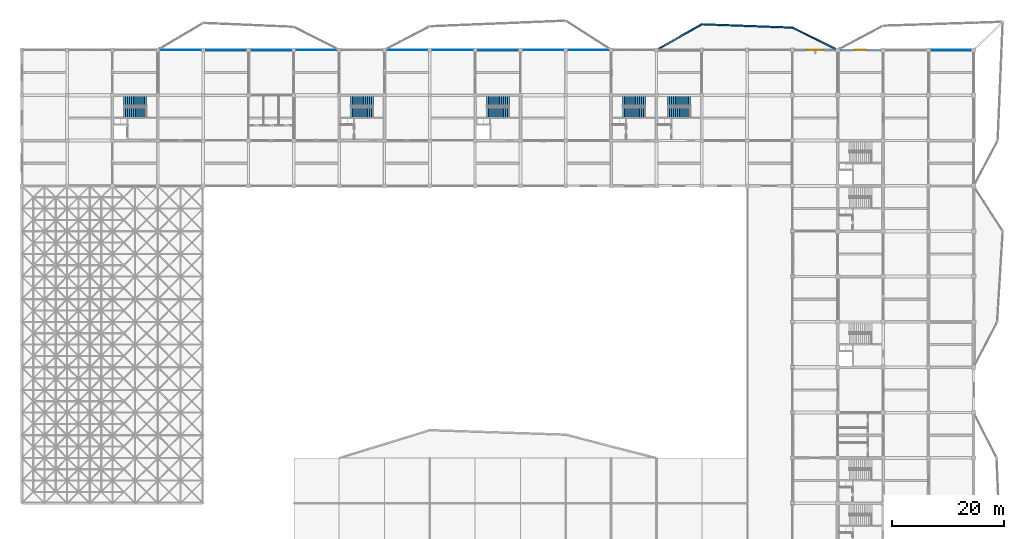
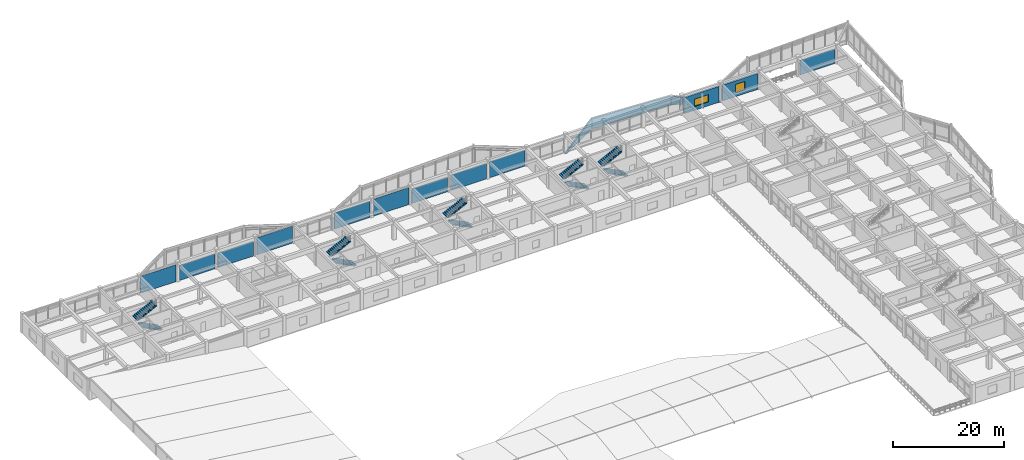
# One storey, part 55 of 70: 15 walls, 10 stair flights, 2 windows, 2 openings, 5 elements without a shape of their own.
"""IFC4 building model written with IfcOpenShell, lengths in metres."""

import ifcopenshell
import ifcopenshell.guid

model = None  # the IFC model being written
_history = None  # IfcOwnerHistory: only IFC2X3 demands one
_inside = {}  # id of a spatial element -> (the spatial element, [elements in it])
_under = {}  # id of a project, library or spatial element -> (it, [spatial elements below it])
_declared = {}  # id of a project -> (the project, [libraries it declares])
_typed = {}  # id of a type object -> (the type object, [elements of that type])
_made_of = {}  # id of a material, layer set ... -> (it, [elements and type objects made of it])


def new_model(schema):
    """Start an empty IFC model of exactly this schema.

    Asked for "IFC4X3", IfcOpenShell would pick the latest addendum, in which some entities
    have other attributes; the version numbers below select the first issue.
    IFC2X3 requires an IfcOwnerHistory on every rooted entity: one is made here for all.
    """
    global model, _history
    if schema == "IFC4X3":
        model = ifcopenshell.file(schema_version=(4, 3, 0, 0))
    else:
        model = ifcopenshell.file(schema=schema)
    _inside.clear()
    _under.clear()
    _declared.clear()
    _typed.clear()
    _made_of.clear()
    _history = None
    if model.schema == "IFC2X3":
        org = make("IfcOrganization", Name="unknown")
        user = make(
            "IfcPersonAndOrganization",
            ThePerson=make("IfcPerson", FamilyName="unknown"),
            TheOrganization=org,
        )
        app = make(
            "IfcApplication",
            ApplicationDeveloper=org,
            Version="unknown",
            ApplicationFullName="unknown",
            ApplicationIdentifier="unknown",
        )
        _history = make(
            "IfcOwnerHistory",
            OwningUser=user,
            OwningApplication=app,
            ChangeAction="ADDED",
            CreationDate=0,
        )
    return model


def make(cls, **values):
    """One entity of the class cls with the attributes given. An attribute that is None is left unset."""
    return model.create_entity(
        cls, **{name: value for name, value in values.items() if value is not None}
    )


def rooted(cls, **values):
    """An entity with a GlobalId (a new one), such as an element, a storey or a relation."""
    return make(cls, GlobalId=ifcopenshell.guid.new(), OwnerHistory=_history, **values)


def si_unit(unit_type, name, prefix=None):
    """IfcSIUnit, for example si_unit("LENGTHUNIT", "METRE", prefix="MILLI")."""
    return make("IfcSIUnit", UnitType=unit_type, Prefix=prefix, Name=name)


def assignment(units):
    """IfcUnitAssignment: the units of a project."""
    return None if units is None else make("IfcUnitAssignment", Units=units)


def point(xyz):
    """IfcCartesianPoint."""
    return None if xyz is None else make("IfcCartesianPoint", Coordinates=xyz)


def direction(xyz):
    """IfcDirection."""
    return None if xyz is None else make("IfcDirection", DirectionRatios=xyz)


def frame(location, z_axis=None, x_axis=None):
    """IfcAxis2Placement3D, a coordinate frame: its origin and axes. An axis left out is left unset."""
    return make(
        "IfcAxis2Placement3D",
        Location=point(location),
        Axis=direction(z_axis),
        RefDirection=direction(x_axis),
    )


def frame_2d(location, x_axis=None):
    """IfcAxis2Placement2D, a coordinate frame in the plane: its origin and x axis."""
    return make(
        "IfcAxis2Placement2D", Location=point(location), RefDirection=direction(x_axis)
    )


def origin():
    """The frame at (0, 0, 0) with its axes left unset."""
    return frame((0.0, 0.0, 0.0))


def place(relative_to, where):
    """IfcLocalPlacement: puts the frame where relative to a parent placement (None: the world)."""
    return make(
        "IfcLocalPlacement", PlacementRelTo=relative_to, RelativePlacement=where
    )


def context(
    kind, dimensions, precision=None, world=None, true_north=None, identifier=None
):
    """IfcGeometricRepresentationContext, for example the 3D "Model" context."""
    return make(
        "IfcGeometricRepresentationContext",
        ContextIdentifier=identifier,
        ContextType=kind,
        CoordinateSpaceDimension=dimensions,
        Precision=precision,
        WorldCoordinateSystem=world,
        TrueNorth=true_north,
    )


def subcontext(parent, identifier, kind, view, scale=None):
    """IfcGeometricRepresentationSubContext, for example "Body" below "Model"."""
    return make(
        "IfcGeometricRepresentationSubContext",
        ContextIdentifier=identifier,
        ContextType=kind,
        ParentContext=parent,
        TargetScale=scale,
        TargetView=view,
    )


def project(units=None, contexts=None):
    """IfcProject with its units and contexts."""
    return rooted(
        "IfcProject",
        Name="project",
        RepresentationContexts=contexts,
        UnitsInContext=assignment(units),
    )


def spatial(cls, under=None, at=None, **own):
    """A site, building, storey or space (cls), placed at a placement, below another one or the project."""
    s = rooted(cls, ObjectPlacement=at, **own)
    if under is not None:
        _under.setdefault(under.id(), (under, []))[1].append(s)
    return s


def polyline(points):
    """IfcPolyline through the points."""
    return make("IfcPolyline", Points=[point(p) for p in points])


def profile(cls, at=None, kind="AREA", **sizes):
    """A parametric profile (cls). Its sizes go by their IFC names, for example OverallWidth=200.0."""
    return make(cls, ProfileType=kind, Position=at, **sizes)


def rectangle(**sizes):
    """IfcRectangleProfileDef."""
    return profile("IfcRectangleProfileDef", **sizes)


def outline(outer, holes=None, kind="AREA"):
    """IfcArbitraryClosedProfileDef: a profile drawn as a closed curve; with holes, ...WithVoids."""
    if holes is None:
        return make("IfcArbitraryClosedProfileDef", ProfileType=kind, OuterCurve=outer)
    return make(
        "IfcArbitraryProfileDefWithVoids",
        ProfileType=kind,
        OuterCurve=outer,
        InnerCurves=holes,
    )


def extrude(swept, where, along, depth):
    """IfcExtrudedAreaSolid: the profile swept, set in the frame where, extruded along a direction by depth."""
    return make(
        "IfcExtrudedAreaSolid",
        SweptArea=swept,
        Position=where,
        ExtrudedDirection=direction(along),
        Depth=depth,
    )


def shape(context_of_items, identifier, shape_type, items):
    """IfcShapeRepresentation: the items that make up one representation, for example the "Body"."""
    return make(
        "IfcShapeRepresentation",
        ContextOfItems=context_of_items,
        RepresentationIdentifier=identifier,
        RepresentationType=shape_type,
        Items=items,
    )


def material(Name=None, Category=None):
    """IfcMaterial."""
    return make("IfcMaterial", Name=Name, Category=Category)


def layer(
    of_material, thickness, ventilated=None, Name=None, Category=None, Priority=None
):
    """IfcMaterialLayer: one layer of a wall or slab, of a material (None: an air gap)."""
    return make(
        "IfcMaterialLayer",
        Material=of_material,
        LayerThickness=thickness,
        IsVentilated=ventilated,
        Name=Name,
        Category=Category,
        Priority=Priority,
    )


def layer_set(layers, Name=None):
    """IfcMaterialLayerSet."""
    return make("IfcMaterialLayerSet", MaterialLayers=layers, LayerSetName=Name)


def made_of(thing, what):
    """Note that an element or type object is made of a material, layer set ...; save() writes the relation."""
    if what is not None:
        _made_of.setdefault(what.id(), (what, []))[1].append(thing)
    return thing


def type_object(cls, material=None, **own):
    """A type object (cls), such as IfcWallType, which elements share."""
    return made_of(rooted(cls, **own), material)


def element(
    cls,
    number,
    at=None,
    inside=None,
    cuts=None,
    type_object=None,
    material=None,
    context=None,
    identifier="Body",
    shape_type=None,
    held_by="IfcProductDefinitionShape",
    body=None,
    shapes=None,
    **own,
):
    """One element of the class cls, such as IfcWall. Its Tag is "e" and its number.

    at: its placement. inside: the storey or other place that contains it. cuts: it is an
    opening in that element (IfcRelVoidsElement). A single representation is given by context,
    identifier, shape_type and body (its items); several are given by shapes. held_by: the class
    of the entity that holds the representations. save() writes the other relations.
    """
    e = rooted(cls, Tag="e%d" % number, ObjectPlacement=at, **own)
    if body is not None:
        shapes = [shape(context, identifier, shape_type, body)]
    if shapes is not None:
        e.Representation = make(held_by, Representations=shapes)
    if inside is not None:
        _inside.setdefault(inside.id(), (inside, []))[1].append(e)
    if cuts is not None:
        rooted(
            "IfcRelVoidsElement", RelatingBuildingElement=cuts, RelatedOpeningElement=e
        )
    if type_object is not None:
        _typed.setdefault(type_object.id(), (type_object, []))[1].append(e)
    return made_of(e, material)


def fill(opening, filler):
    """IfcRelFillsElement: the door or window that sits in an opening."""
    return rooted(
        "IfcRelFillsElement",
        RelatingOpeningElement=opening,
        RelatedBuildingElement=filler,
    )


def aggregate(whole, parts):
    """IfcRelAggregates: a whole, such as a stair, and the parts it consists of."""
    return rooted("IfcRelAggregates", RelatingObject=whole, RelatedObjects=parts)


def save(model, path):
    """Write the relations noted so far, then the file.

    IfcRelAggregates (storeys below a building ...), IfcRelContainedInSpatialStructure (elements
    in a storey), IfcRelDefinesByType, IfcRelAssociatesMaterial and IfcRelDeclares: one each for
    every whole, place, type object, material and project.
    """
    for whole, parts in _under.values():
        aggregate(whole, parts)
    for where, things in _inside.values():
        rooted(
            "IfcRelContainedInSpatialStructure",
            RelatedElements=things,
            RelatingStructure=where,
        )
    for kind, things in _typed.values():
        rooted("IfcRelDefinesByType", RelatedObjects=things, RelatingType=kind)
    for what, things in _made_of.values():
        rooted("IfcRelAssociatesMaterial", RelatedObjects=things, RelatingMaterial=what)
    for by, libraries in _declared.values():
        rooted("IfcRelDeclares", RelatingContext=by, RelatedDefinitions=libraries)
    model.write(path)


model = new_model("IFC4")

# Units and contexts
model_context = context("Model", 3, precision=1e-05, world=origin(), true_north=direction((0.0, 1.0)))
body_context = subcontext(model_context, "Body", "Model", "MODEL_VIEW")
ifc_project = project(units=[si_unit("LENGTHUNIT", "METRE"), si_unit("AREAUNIT", "SQUARE_METRE"), si_unit("VOLUMEUNIT", "CUBIC_METRE"), si_unit("PLANEANGLEUNIT", "RADIAN"), si_unit("MASSUNIT", "GRAM", prefix="KILO")], contexts=[model_context])

# Site, building, storey
site_placement = place(None, origin())
site = spatial("IfcSite", under=ifc_project, at=site_placement, CompositionType="ELEMENT")
building_placement = place(site_placement, origin())
building = spatial("IfcBuilding", under=site, at=building_placement, Name="Vaudrelin Polytechnic", CompositionType="ELEMENT")
storey_placement = place(building_placement, frame((0.0, 0.0, 14.110107421875)))
storey = spatial("IfcBuildingStorey", under=building, at=storey_placement, Name="L03", CompositionType="ELEMENT", Elevation=14.110107421875)

# Walls
ifc_material_1 = material(Name="Precast concrete 35 MPa with standing-seam zinc rainscreen", Category="concrete")
ifc_layer_1 = layer(ifc_material_1, 0.260009765625)
ifc_layer_set_1 = layer_set([ifc_layer_1], Name="Precast concrete 35 MPa with standing-seam zinc rainscreen")
wall_type_1 = type_object("IfcWallType", Name="WAL-EW-CLER260", PredefinedType="STANDARD", material=ifc_layer_set_1)
wall_1_placement = place(storey_placement, frame((113.41748046875, 121.510009765625, -0.35009765625), z_axis=(0.0, 0.0, 1.0), x_axis=(0.86956831127, 0.49381266897, 0.0)))
element("IfcWall", 1, at=wall_1_placement, inside=storey, type_object=wall_type_1, Name="Deconstructivist pod clerestory N_OR3-1", PredefinedType="STANDARD", context=body_context, shape_type="SweptSolid", body=[
    extrude(outline(polyline([(0.0, 0.0), (9.27490234375, 0.0), (9.27490234375, 2.2099609375), (0.0, 0.360107421875), (0.0, 0.0)])), frame((0.0, 0.1298828125, 0.0), z_axis=(0.0, -1.0, 0.0), x_axis=(1.0, 0.0, 0.0)), (0.0, 0.0, 1.0), 0.260009765625),
])
wall_2_placement = place(storey_placement, frame((121.52001953125, 126.099365234375, -0.35009765625), z_axis=(0.0, 0.0, 1.0), x_axis=(0.999314564882, -0.037018919688, 0.0)))
element("IfcWall", 2, at=wall_2_placement, inside=storey, type_object=wall_type_1, Name="Deconstructivist pod clerestory N_OR3-2", PredefinedType="STANDARD", context=body_context, shape_type="SweptSolid", body=[
    extrude(outline(polyline([(0.0, 0.0), (16.1708984375, 0.0), (16.171142578125, 1.96875), (0.0, 2.2099609375), (0.0, 0.0)])), frame((0.0, 0.1298828125, 0.0), z_axis=(0.0, -1.0, 0.0), x_axis=(1.0, 0.0, 0.0)), (0.0, 0.0, 1.0), 0.260009765625),
])
wall_3_placement = place(storey_placement, frame((137.718017578125, 125.4912109375, -0.35009765625), z_axis=(0.0, 0.0, 1.0), x_axis=(0.89662055287, -0.442799711124, 0.0)))
element("IfcWall", 3, at=wall_3_placement, inside=storey, type_object=wall_type_1, Name="Deconstructivist pod clerestory N_OR3-3", PredefinedType="STANDARD", context=body_context, shape_type="SweptSolid", body=[
    extrude(outline(polyline([(0.0, 0.0), (8.99365234375, 0.0), (8.993896484375, 0.360107421875), (0.0, 1.96875), (0.0, 0.0)])), frame((0.0, 0.1298828125, 0.0), z_axis=(0.0, -1.0, 0.0), x_axis=(1.0, 0.0, 0.0)), (0.0, 0.0, 1.0), 0.260009765625),
])

# Wall, opening, window
ifc_material_2 = material(Name="Precast concrete 35 MPa with terracotta baguette screen", Category="masonry")
ifc_layer_2 = layer(ifc_material_2, 0.35009765625)
ifc_layer_set_2 = layer_set([ifc_layer_2], Name="Precast concrete 35 MPa with terracotta baguette screen")
wall_type_2 = type_object("IfcWallType", Name="WAL-EW-TERR350", PredefinedType="STANDARD", material=ifc_layer_set_2)
wall_4_placement = place(storey_placement, frame((138.072998046875, 121.5, 0.0), z_axis=(0.0, 0.0, 1.0), x_axis=(1.0, 0.0, 0.0)))
wall_4 = element("IfcWall", 4, at=wall_4_placement, inside=storey, type_object=wall_type_2, Name="Exterior wall L03 N_V4_00", PredefinedType="STANDARD", context=body_context, shape_type="SweptSolid", body=[
    extrude(rectangle(XDim=7.35400390625, YDim=0.35009765625, at=frame_2d((3.677001953125, 0.0))), origin(), (0.0, 0.0, 1.0), 3.511962890625),
])
opening_1_placement = place(wall_4_placement, frame((2.22705078125, 0.0, 0.85009765625)))
opening_1 = element("IfcOpeningElement", 5, at=opening_1_placement, cuts=wall_4, Name="Opening W-L03-N-V4-01", PredefinedType="OPENING", context=body_context, shape_type="SweptSolid", body=[
    extrude(rectangle(XDim=2.89990234375, YDim=1.60009765625, at=frame_2d((1.449951171875, 0.800048828125))), frame((0.0, 0.18505859375, 0.0), z_axis=(0.0, -1.0, 0.0), x_axis=(1.0, 0.0, 0.0)), (0.0, 0.0, 1.0), 0.3701171875),
])
ifc_material_3 = material(Name="Thermally broken aluminium frame with triple low-e glazing", Category="aluminium")
window_type_1 = type_object("IfcWindowType", Name="WIN-WN-46", PartitioningType="SINGLE_PANEL", PredefinedType="WINDOW", material=ifc_material_3)
window_1_placement = place(opening_1_placement, origin())
window_1 = element("IfcWindow", 6, at=window_1_placement, inside=storey, type_object=window_type_1, Name="Facade window L03-N_V4_00", OverallHeight=1.60009765625, OverallWidth=2.89990234375, PartitioningType="SINGLE_PANEL", PredefinedType="WINDOW", context=body_context, shape_type="SweptSolid", body=[
    extrude(rectangle(XDim=2.89990234375, YDim=1.60009765625, at=frame_2d((1.449951171875, 0.800048828125))), frame((0.0, 0.030029296875, 0.0), z_axis=(0.0, -1.0, 0.0), x_axis=(1.0, 0.0, 0.0)), (0.0, 0.0, 1.0), 0.06005859375),
])
fill(opening_1, window_1)

wall_5_placement = place(storey_placement, frame((146.173095703125, 121.5, 0.0), z_axis=(0.0, 0.0, 1.0), x_axis=(1.0, 0.0, 0.0)))
wall_5 = element("IfcWall", 7, at=wall_5_placement, inside=storey, type_object=wall_type_2, Name="Exterior wall L03 N_V4_01", PredefinedType="STANDARD", context=body_context, shape_type="SweptSolid", body=[
    extrude(rectangle(XDim=7.35400390625, YDim=0.35009765625, at=frame_2d((3.677001953125, 0.0))), origin(), (0.0, 0.0, 1.0), 3.511962890625),
])
opening_2_placement = place(wall_5_placement, frame((2.72705078125, 0.0, 0.85009765625)))
opening_2 = element("IfcOpeningElement", 8, at=opening_2_placement, cuts=wall_5, Name="Opening W-L03-N-V4-02", PredefinedType="OPENING", context=body_context, shape_type="SweptSolid", body=[
    extrude(rectangle(XDim=1.89990234375, YDim=1.85009765625, at=frame_2d((0.949951171875, 0.925048828125))), frame((0.0, 0.18505859375, 0.0), z_axis=(0.0, -1.0, 0.0), x_axis=(1.0, 0.0, 0.0)), (0.0, 0.0, 1.0), 0.3701171875),
])
window_type_2 = type_object("IfcWindowType", Name="WIN-WN-47", PartitioningType="SINGLE_PANEL", PredefinedType="WINDOW", material=ifc_material_3)
window_2_placement = place(opening_2_placement, origin())
window_2 = element("IfcWindow", 9, at=window_2_placement, inside=storey, type_object=window_type_2, Name="Facade window L03-N_V4_01", OverallHeight=1.85009765625, OverallWidth=1.89990234375, PartitioningType="SINGLE_PANEL", PredefinedType="WINDOW", context=body_context, shape_type="SweptSolid", body=[
    extrude(rectangle(XDim=1.89990234375, YDim=1.85009765625, at=frame_2d((0.949951171875, 0.925048828125))), frame((0.0, 0.030029296875, 0.0), z_axis=(0.0, -1.0, 0.0), x_axis=(1.0, 0.0, 0.0)), (0.0, 0.0, 1.0), 0.06005859375),
])
fill(opening_2, window_2)

# Walls
ifc_material_4 = material(Name="Acoustic steel-stud office & study room partition", Category="steel")
ifc_layer_3 = layer(ifc_material_4, 0.135009765625)
ifc_layer_set_3 = layer_set([ifc_layer_3], Name="Acoustic steel-stud office & study room partition")
wall_type_3 = type_object("IfcWallType", Name="WAL-PW-OFF135", PredefinedType="PARTITIONING", material=ifc_layer_set_3)
wall_6_placement = place(storey_placement, frame((24.623046875, 121.5, 0.0), z_axis=(0.0, 0.0, 1.0), x_axis=(1.0, 0.0, 0.0)))
element("IfcWall", 10, at=wall_6_placement, inside=storey, type_object=wall_type_3, Name="Partition L03-002 N", PredefinedType="PARTITIONING", context=body_context, shape_type="SweptSolid", body=[
    extrude(rectangle(XDim=7.453857421875, YDim=0.135009765625, at=frame_2d((3.72705078125, 0.0))), origin(), (0.0, 0.0, 1.0), 3.746826171875),
])
wall_7_placement = place(storey_placement, frame((32.722900390625, 121.5, 0.0), z_axis=(0.0, 0.0, 1.0), x_axis=(1.0, 0.0, 0.0)))
element("IfcWall", 11, at=wall_7_placement, inside=storey, type_object=wall_type_3, Name="Partition L03-002 N", PredefinedType="PARTITIONING", context=body_context, shape_type="SweptSolid", body=[
    extrude(rectangle(XDim=7.4541015625, YDim=0.135009765625, at=frame_2d((3.72705078125, 0.0))), origin(), (0.0, 0.0, 1.0), 3.31201171875),
])
wall_8_placement = place(storey_placement, frame((48.923095703125, 121.5, 0.0), z_axis=(0.0, 0.0, 1.0), x_axis=(1.0, 0.0, 0.0)))
element("IfcWall", 12, at=wall_8_placement, inside=storey, type_object=wall_type_3, Name="Partition L03-003 N", PredefinedType="PARTITIONING", context=body_context, shape_type="SweptSolid", body=[
    extrude(rectangle(XDim=7.453857421875, YDim=0.135009765625, at=frame_2d((3.72705078125, 0.0))), origin(), (0.0, 0.0, 1.0), 3.746826171875),
])
wall_9_placement = place(storey_placement, frame((65.123046875, 121.5, 0.0), z_axis=(0.0, 0.0, 1.0), x_axis=(1.0, 0.0, 0.0)))
element("IfcWall", 13, at=wall_9_placement, inside=storey, type_object=wall_type_3, Name="Partition L03-004 N", PredefinedType="PARTITIONING", context=body_context, shape_type="SweptSolid", body=[
    extrude(rectangle(XDim=7.453857421875, YDim=0.135009765625, at=frame_2d((3.72705078125, 0.0))), origin(), (0.0, 0.0, 1.0), 3.56201171875),
])
wall_10_placement = place(storey_placement, frame((73.222900390625, 121.5, 0.0), z_axis=(0.0, 0.0, 1.0), x_axis=(1.0, 0.0, 0.0)))
element("IfcWall", 14, at=wall_10_placement, inside=storey, type_object=wall_type_3, Name="Partition L03-004 N", PredefinedType="PARTITIONING", context=body_context, shape_type="SweptSolid", body=[
    extrude(rectangle(XDim=7.4541015625, YDim=0.135009765625, at=frame_2d((3.72705078125, 0.0))), origin(), (0.0, 0.0, 1.0), 3.73681640625),
])
wall_11_placement = place(storey_placement, frame((162.373046875, 121.5, 0.0), z_axis=(0.0, 0.0, 1.0), x_axis=(1.0, 0.0, 0.0)))
element("IfcWall", 15, at=wall_11_placement, inside=storey, type_object=wall_type_3, Name="Partition L03-018 N", PredefinedType="PARTITIONING", context=body_context, shape_type="SweptSolid", body=[
    extrude(rectangle(XDim=7.35400390625, YDim=0.135009765625, at=frame_2d((3.677001953125, 0.0))), origin(), (0.0, 0.0, 1.0), 3.2119140625),
])
wall_12_placement = place(storey_placement, frame((40.822998046875, 121.5, 0.0), z_axis=(0.0, 0.0, 1.0), x_axis=(1.0, 0.0, 0.0)))
element("IfcWall", 16, at=wall_12_placement, inside=storey, type_object=wall_type_3, Name="Partition L03-020 N", PredefinedType="PARTITIONING", context=body_context, shape_type="SweptSolid", body=[
    extrude(rectangle(XDim=7.4541015625, YDim=0.135009765625, at=frame_2d((3.72705078125, 0.0))), origin(), (0.0, 0.0, 1.0), 3.2119140625),
])
ifc_material_5 = material(Name="Pin-up plywood & acoustic gypsum studio partition", Category="wood")
ifc_layer_4 = layer(ifc_material_5, 0.14990234375)
ifc_layer_set_4 = layer_set([ifc_layer_4], Name="Pin-up plywood & acoustic gypsum studio partition")
wall_type_4 = type_object("IfcWallType", Name="WAL-PW-STU150", PredefinedType="PARTITIONING", material=ifc_layer_set_4)
wall_13_placement = place(storey_placement, frame((89.423095703125, 121.5, 0.0), z_axis=(0.0, 0.0, 1.0), x_axis=(1.0, 0.0, 0.0)))
element("IfcWall", 17, at=wall_13_placement, inside=storey, type_object=wall_type_4, Name="Partition L03-005 N", PredefinedType="PARTITIONING", context=body_context, shape_type="SweptSolid", body=[
    extrude(rectangle(XDim=7.453857421875, YDim=0.14990234375, at=frame_2d((3.72705078125, 0.0))), origin(), (0.0, 0.0, 1.0), 3.40185546875),
])
wall_14_placement = place(storey_placement, frame((97.52294921875, 121.5, 0.0), z_axis=(0.0, 0.0, 1.0), x_axis=(1.0, 0.0, 0.0)))
element("IfcWall", 18, at=wall_14_placement, inside=storey, type_object=wall_type_4, Name="Partition L03-005 N", PredefinedType="PARTITIONING", context=body_context, shape_type="SweptSolid", body=[
    extrude(rectangle(XDim=7.4541015625, YDim=0.14990234375, at=frame_2d((3.72705078125, 0.0))), origin(), (0.0, 0.0, 1.0), 3.501953125),
])
wall_15_placement = place(storey_placement, frame((81.322998046875, 121.5, 0.0), z_axis=(0.0, 0.0, 1.0), x_axis=(1.0, 0.0, 0.0)))
element("IfcWall", 19, at=wall_15_placement, inside=storey, type_object=wall_type_4, Name="Partition L03-022 N", PredefinedType="PARTITIONING", context=body_context, shape_type="SweptSolid", body=[
    extrude(rectangle(XDim=7.4541015625, YDim=0.14990234375, at=frame_2d((3.72705078125, 0.0))), origin(), (0.0, 0.0, 1.0), 3.201904296875),
])

# Stair, stair flights
ifc_material_6 = material(Name="Concrete 35 MPa", Category="concrete")
stair_type = type_object("IfcStairType", Name="STR-ST-CORE", PredefinedType="TWO_STRAIGHT_RUN_STAIR", material=ifc_material_6)
stair_1_placement = place(storey_placement, origin())
stair_1 = element("IfcStair", 20, at=stair_1_placement, inside=storey, type_object=stair_type, Name="Exit stair ST-01-L03", PredefinedType="TWO_STRAIGHT_RUN_STAIR")
stair_flight_type = type_object("IfcStairFlightType", Name="STF-STF-CORE", PredefinedType="STRAIGHT", material=ifc_material_6)
stair_flight_1_placement = place(storey_placement, frame((22.340087890625, 110.3701171875, 0.0), z_axis=(0.0, 0.0, 1.0), x_axis=(-1.0, 0.0, 0.0)))
stair_flight_1 = element("IfcStairFlight", 21, at=stair_flight_1_placement, type_object=stair_flight_type, Name="ST-01-L03 flight 1", NumberOfRisers=13, NumberOfTreads=12, PredefinedType="STRAIGHT", RiserHeight=0.17, TreadLength=0.34417, context=body_context, shape_type="SweptSolid", body=[
    extrude(outline(polyline([(0.0, 0.0), (0.0, 0.169921875), (0.34423828125, 0.169921875), (0.34423828125, 0.340087890625), (0.688232421875, 0.340087890625), (0.688232421875, 0.510009765625), (1.032470703125, 0.510009765625), (1.032470703125, 0.679931640625), (1.376708984375, 0.679931640625), (1.376708984375, 0.85009765625), (1.720947265625, 0.85009765625), (1.720947265625, 1.02001953125), (2.06494140625, 1.02001953125), (2.06494140625, 1.18994140625), (2.4091796875, 1.18994140625), (2.4091796875, 1.360107421875), (2.75341796875, 1.360107421875), (2.75341796875, 1.530029296875), (3.097412109375, 1.530029296875), (3.097412109375, 1.699951171875), (3.441650390625, 1.699951171875), (3.441650390625, 1.8701171875), (3.785888671875, 1.8701171875), (3.785888671875, 2.0400390625), (4.130126953125, 2.0400390625), (4.130126953125, 2.2099609375), (4.130126953125, 1.81689453125), (0.451416015625, 0.0), (0.0, 0.0)])), frame((0.0, 0.91015625, 0.0), z_axis=(0.0, -1.0, 0.0), x_axis=(1.0, 0.0, 0.0)), (0.0, 0.0, 1.0), 1.820068359375),
])
stair_flight_2_placement = place(storey_placement, frame((18.2099609375, 112.389892578125, 2.2099609375), z_axis=(0.0, 0.0, 1.0), x_axis=(1.0, 0.0, 0.0)))
stair_flight_2 = element("IfcStairFlight", 22, at=stair_flight_2_placement, type_object=stair_flight_type, Name="ST-01-L03 flight 2", NumberOfRisers=13, NumberOfTreads=12, PredefinedType="STRAIGHT", RiserHeight=0.17, TreadLength=0.34083, context=body_context, shape_type="SweptSolid", body=[
    extrude(outline(polyline([(0.0, 0.0), (0.0, 0.169921875), (0.3408203125, 0.169921875), (0.3408203125, 0.340087890625), (0.681640625, 0.340087890625), (0.681640625, 0.510009765625), (1.0224609375, 0.510009765625), (1.0224609375, 0.679931640625), (1.36328125, 0.679931640625), (1.36328125, 0.85009765625), (1.7041015625, 0.85009765625), (1.7041015625, 1.02001953125), (2.044921875, 1.02001953125), (2.044921875, 1.18994140625), (2.3857421875, 1.18994140625), (2.3857421875, 1.360107421875), (2.7265625, 1.360107421875), (2.7265625, 1.530029296875), (3.0673828125, 1.530029296875), (3.0673828125, 1.699951171875), (3.408203125, 1.699951171875), (3.408203125, 1.8701171875), (3.7490234375, 1.8701171875), (3.7490234375, 2.0400390625), (4.08984375, 2.0400390625), (4.08984375, 2.2099609375), (4.08984375, 1.816650390625), (0.447998046875, 0.0), (0.0, 0.0)])), frame((0.0, 0.91015625, 0.0), z_axis=(0.0, -1.0, 0.0), x_axis=(1.0, 0.0, 0.0)), (0.0, 0.0, 1.0), 1.820068359375),
])
aggregate(stair_1, [stair_flight_1, stair_flight_2])

stair_2_placement = place(storey_placement, origin())
stair_2 = element("IfcStair", 23, at=stair_2_placement, inside=storey, type_object=stair_type, Name="Exit stair ST-02-L03", PredefinedType="TWO_STRAIGHT_RUN_STAIR")
stair_flight_3_placement = place(storey_placement, frame((87.139892578125, 110.3701171875, 0.0), z_axis=(0.0, 0.0, 1.0), x_axis=(-1.0, 0.0, 0.0)))
stair_flight_3 = element("IfcStairFlight", 24, at=stair_flight_3_placement, type_object=stair_flight_type, Name="ST-02-L03 flight 1", NumberOfRisers=13, NumberOfTreads=12, PredefinedType="STRAIGHT", RiserHeight=0.17, TreadLength=0.34417, context=body_context, shape_type="SweptSolid", body=[
    extrude(outline(polyline([(0.0, 0.0), (0.0, 0.169921875), (0.34423828125, 0.169921875), (0.34423828125, 0.340087890625), (0.688232421875, 0.340087890625), (0.688232421875, 0.510009765625), (1.032470703125, 0.510009765625), (1.032470703125, 0.679931640625), (1.376708984375, 0.679931640625), (1.376708984375, 0.85009765625), (1.720947265625, 0.85009765625), (1.720947265625, 1.02001953125), (2.06494140625, 1.02001953125), (2.06494140625, 1.18994140625), (2.4091796875, 1.18994140625), (2.4091796875, 1.360107421875), (2.75341796875, 1.360107421875), (2.75341796875, 1.530029296875), (3.097412109375, 1.530029296875), (3.097412109375, 1.699951171875), (3.441650390625, 1.699951171875), (3.441650390625, 1.8701171875), (3.785888671875, 1.8701171875), (3.785888671875, 2.0400390625), (4.130126953125, 2.0400390625), (4.130126953125, 2.2099609375), (4.130126953125, 1.81689453125), (0.451416015625, 0.0), (0.0, 0.0)])), frame((0.0, 0.91015625, 0.0), z_axis=(0.0, -1.0, 0.0), x_axis=(1.0, 0.0, 0.0)), (0.0, 0.0, 1.0), 1.820068359375),
])
stair_flight_4_placement = place(storey_placement, frame((83.010009765625, 112.389892578125, 2.2099609375), z_axis=(0.0, 0.0, 1.0), x_axis=(1.0, 0.0, 0.0)))
stair_flight_4 = element("IfcStairFlight", 25, at=stair_flight_4_placement, type_object=stair_flight_type, Name="ST-02-L03 flight 2", NumberOfRisers=13, NumberOfTreads=12, PredefinedType="STRAIGHT", RiserHeight=0.17, TreadLength=0.34083, context=body_context, shape_type="SweptSolid", body=[
    extrude(outline(polyline([(0.0, 0.0), (0.0, 0.169921875), (0.3408203125, 0.169921875), (0.3408203125, 0.340087890625), (0.681640625, 0.340087890625), (0.681640625, 0.510009765625), (1.0224609375, 0.510009765625), (1.0224609375, 0.679931640625), (1.36328125, 0.679931640625), (1.36328125, 0.85009765625), (1.7041015625, 0.85009765625), (1.7041015625, 1.02001953125), (2.044921875, 1.02001953125), (2.044921875, 1.18994140625), (2.3857421875, 1.18994140625), (2.3857421875, 1.360107421875), (2.7265625, 1.360107421875), (2.7265625, 1.530029296875), (3.0673828125, 1.530029296875), (3.0673828125, 1.699951171875), (3.408203125, 1.699951171875), (3.408203125, 1.8701171875), (3.7490234375, 1.8701171875), (3.7490234375, 2.0400390625), (4.08984375, 2.0400390625), (4.08984375, 2.2099609375), (4.08984375, 1.816650390625), (0.447998046875, 0.0), (0.0, 0.0)])), frame((0.0, 0.91015625, 0.0), z_axis=(0.0, -1.0, 0.0), x_axis=(1.0, 0.0, 0.0)), (0.0, 0.0, 1.0), 1.820068359375),
])
aggregate(stair_2, [stair_flight_3, stair_flight_4])

stair_3_placement = place(storey_placement, origin())
stair_3 = element("IfcStair", 26, at=stair_3_placement, inside=storey, type_object=stair_type, Name="Exit stair ST-09-L03", PredefinedType="TWO_STRAIGHT_RUN_STAIR")
stair_flight_5_placement = place(storey_placement, frame((62.840087890625, 110.3701171875, 0.0), z_axis=(0.0, 0.0, 1.0), x_axis=(-1.0, 0.0, 0.0)))
stair_flight_5 = element("IfcStairFlight", 27, at=stair_flight_5_placement, type_object=stair_flight_type, Name="ST-09-L03 flight 1", NumberOfRisers=13, NumberOfTreads=12, PredefinedType="STRAIGHT", RiserHeight=0.17, TreadLength=0.34417, context=body_context, shape_type="SweptSolid", body=[
    extrude(outline(polyline([(0.0, 0.0), (0.0, 0.169921875), (0.34423828125, 0.169921875), (0.34423828125, 0.340087890625), (0.688232421875, 0.340087890625), (0.688232421875, 0.510009765625), (1.032470703125, 0.510009765625), (1.032470703125, 0.679931640625), (1.376708984375, 0.679931640625), (1.376708984375, 0.85009765625), (1.720947265625, 0.85009765625), (1.720947265625, 1.02001953125), (2.06494140625, 1.02001953125), (2.06494140625, 1.18994140625), (2.4091796875, 1.18994140625), (2.4091796875, 1.360107421875), (2.75341796875, 1.360107421875), (2.75341796875, 1.530029296875), (3.097412109375, 1.530029296875), (3.097412109375, 1.699951171875), (3.441650390625, 1.699951171875), (3.441650390625, 1.8701171875), (3.785888671875, 1.8701171875), (3.785888671875, 2.0400390625), (4.130126953125, 2.0400390625), (4.130126953125, 2.2099609375), (4.130126953125, 1.81689453125), (0.451416015625, 0.0), (0.0, 0.0)])), frame((0.0, 0.91015625, 0.0), z_axis=(0.0, -1.0, 0.0), x_axis=(1.0, 0.0, 0.0)), (0.0, 0.0, 1.0), 1.820068359375),
])
stair_flight_6_placement = place(storey_placement, frame((58.7099609375, 112.389892578125, 2.2099609375), z_axis=(0.0, 0.0, 1.0), x_axis=(1.0, 0.0, 0.0)))
stair_flight_6 = element("IfcStairFlight", 28, at=stair_flight_6_placement, type_object=stair_flight_type, Name="ST-09-L03 flight 2", NumberOfRisers=13, NumberOfTreads=12, PredefinedType="STRAIGHT", RiserHeight=0.17, TreadLength=0.34083, context=body_context, shape_type="SweptSolid", body=[
    extrude(outline(polyline([(0.0, 0.0), (0.0, 0.169921875), (0.3408203125, 0.169921875), (0.3408203125, 0.340087890625), (0.681640625, 0.340087890625), (0.681640625, 0.510009765625), (1.0224609375, 0.510009765625), (1.0224609375, 0.679931640625), (1.36328125, 0.679931640625), (1.36328125, 0.85009765625), (1.7041015625, 0.85009765625), (1.7041015625, 1.02001953125), (2.044921875, 1.02001953125), (2.044921875, 1.18994140625), (2.3857421875, 1.18994140625), (2.3857421875, 1.360107421875), (2.7265625, 1.360107421875), (2.7265625, 1.530029296875), (3.0673828125, 1.530029296875), (3.0673828125, 1.699951171875), (3.408203125, 1.699951171875), (3.408203125, 1.8701171875), (3.7490234375, 1.8701171875), (3.7490234375, 2.0400390625), (4.08984375, 2.0400390625), (4.08984375, 2.2099609375), (4.08984375, 1.816650390625), (0.447998046875, 0.0), (0.0, 0.0)])), frame((0.0, 0.91015625, 0.0), z_axis=(0.0, -1.0, 0.0), x_axis=(1.0, 0.0, 0.0)), (0.0, 0.0, 1.0), 1.820068359375),
])
aggregate(stair_3, [stair_flight_5, stair_flight_6])

stair_4_placement = place(storey_placement, origin())
stair_4 = element("IfcStair", 29, at=stair_4_placement, inside=storey, type_object=stair_type, Name="Exit stair ST-10-L03", PredefinedType="TWO_STRAIGHT_RUN_STAIR")
stair_flight_7_placement = place(storey_placement, frame((119.5400390625, 110.3701171875, 0.0), z_axis=(0.0, 0.0, 1.0), x_axis=(-1.0, 0.0, 0.0)))
stair_flight_7 = element("IfcStairFlight", 30, at=stair_flight_7_placement, type_object=stair_flight_type, Name="ST-10-L03 flight 1", NumberOfRisers=13, NumberOfTreads=12, PredefinedType="STRAIGHT", RiserHeight=0.17, TreadLength=0.34417, context=body_context, shape_type="SweptSolid", body=[
    extrude(outline(polyline([(0.0, 0.0), (0.0, 0.169921875), (0.34423828125, 0.169921875), (0.34423828125, 0.340087890625), (0.688232421875, 0.340087890625), (0.688232421875, 0.510009765625), (1.032470703125, 0.510009765625), (1.032470703125, 0.679931640625), (1.376708984375, 0.679931640625), (1.376708984375, 0.85009765625), (1.720947265625, 0.85009765625), (1.720947265625, 1.02001953125), (2.06494140625, 1.02001953125), (2.06494140625, 1.18994140625), (2.4091796875, 1.18994140625), (2.4091796875, 1.360107421875), (2.75341796875, 1.360107421875), (2.75341796875, 1.530029296875), (3.097412109375, 1.530029296875), (3.097412109375, 1.699951171875), (3.441650390625, 1.699951171875), (3.441650390625, 1.8701171875), (3.785888671875, 1.8701171875), (3.785888671875, 2.0400390625), (4.130126953125, 2.0400390625), (4.130126953125, 2.2099609375), (4.130126953125, 1.81689453125), (0.451416015625, 0.0), (0.0, 0.0)])), frame((0.0, 0.91015625, 0.0), z_axis=(0.0, -1.0, 0.0), x_axis=(1.0, 0.0, 0.0)), (0.0, 0.0, 1.0), 1.820068359375),
])
stair_flight_8_placement = place(storey_placement, frame((115.409912109375, 112.389892578125, 2.2099609375), z_axis=(0.0, 0.0, 1.0), x_axis=(1.0, 0.0, 0.0)))
stair_flight_8 = element("IfcStairFlight", 31, at=stair_flight_8_placement, type_object=stair_flight_type, Name="ST-10-L03 flight 2", NumberOfRisers=13, NumberOfTreads=12, PredefinedType="STRAIGHT", RiserHeight=0.17, TreadLength=0.34083, context=body_context, shape_type="SweptSolid", body=[
    extrude(outline(polyline([(0.0, 0.0), (0.0, 0.169921875), (0.3408203125, 0.169921875), (0.3408203125, 0.340087890625), (0.681640625, 0.340087890625), (0.681640625, 0.510009765625), (1.0224609375, 0.510009765625), (1.0224609375, 0.679931640625), (1.36328125, 0.679931640625), (1.36328125, 0.85009765625), (1.7041015625, 0.85009765625), (1.7041015625, 1.02001953125), (2.044921875, 1.02001953125), (2.044921875, 1.18994140625), (2.3857421875, 1.18994140625), (2.3857421875, 1.360107421875), (2.7265625, 1.360107421875), (2.7265625, 1.530029296875), (3.0673828125, 1.530029296875), (3.0673828125, 1.699951171875), (3.408203125, 1.699951171875), (3.408203125, 1.8701171875), (3.7490234375, 1.8701171875), (3.7490234375, 2.0400390625), (4.08984375, 2.0400390625), (4.08984375, 2.2099609375), (4.08984375, 1.816650390625), (0.447998046875, 0.0), (0.0, 0.0)])), frame((0.0, 0.91015625, 0.0), z_axis=(0.0, -1.0, 0.0), x_axis=(1.0, 0.0, 0.0)), (0.0, 0.0, 1.0), 1.820068359375),
])
aggregate(stair_4, [stair_flight_7, stair_flight_8])

stair_5_placement = place(storey_placement, origin())
stair_5 = element("IfcStair", 32, at=stair_5_placement, inside=storey, type_object=stair_type, Name="Exit stair ST-11-L03", PredefinedType="TWO_STRAIGHT_RUN_STAIR")
stair_flight_9_placement = place(storey_placement, frame((111.43994140625, 110.3701171875, 0.0), z_axis=(0.0, 0.0, 1.0), x_axis=(-1.0, 0.0, 0.0)))
stair_flight_9 = element("IfcStairFlight", 33, at=stair_flight_9_placement, type_object=stair_flight_type, Name="ST-11-L03 flight 1", NumberOfRisers=13, NumberOfTreads=12, PredefinedType="STRAIGHT", RiserHeight=0.17, TreadLength=0.34417, context=body_context, shape_type="SweptSolid", body=[
    extrude(outline(polyline([(0.0, 0.0), (0.0, 0.169921875), (0.34423828125, 0.169921875), (0.34423828125, 0.340087890625), (0.688232421875, 0.340087890625), (0.688232421875, 0.510009765625), (1.032470703125, 0.510009765625), (1.032470703125, 0.679931640625), (1.376708984375, 0.679931640625), (1.376708984375, 0.85009765625), (1.720947265625, 0.85009765625), (1.720947265625, 1.02001953125), (2.06494140625, 1.02001953125), (2.06494140625, 1.18994140625), (2.4091796875, 1.18994140625), (2.4091796875, 1.360107421875), (2.75341796875, 1.360107421875), (2.75341796875, 1.530029296875), (3.097412109375, 1.530029296875), (3.097412109375, 1.699951171875), (3.441650390625, 1.699951171875), (3.441650390625, 1.8701171875), (3.785888671875, 1.8701171875), (3.785888671875, 2.0400390625), (4.130126953125, 2.0400390625), (4.130126953125, 2.2099609375), (4.130126953125, 1.81689453125), (0.451416015625, 0.0), (0.0, 0.0)])), frame((0.0, 0.91015625, 0.0), z_axis=(0.0, -1.0, 0.0), x_axis=(1.0, 0.0, 0.0)), (0.0, 0.0, 1.0), 1.820068359375),
])
stair_flight_10_placement = place(storey_placement, frame((107.31005859375, 112.389892578125, 2.2099609375), z_axis=(0.0, 0.0, 1.0), x_axis=(1.0, 0.0, 0.0)))
stair_flight_10 = element("IfcStairFlight", 34, at=stair_flight_10_placement, type_object=stair_flight_type, Name="ST-11-L03 flight 2", NumberOfRisers=13, NumberOfTreads=12, PredefinedType="STRAIGHT", RiserHeight=0.17, TreadLength=0.34083, context=body_context, shape_type="SweptSolid", body=[
    extrude(outline(polyline([(0.0, 0.0), (0.0, 0.169921875), (0.3408203125, 0.169921875), (0.3408203125, 0.340087890625), (0.681640625, 0.340087890625), (0.681640625, 0.510009765625), (1.0224609375, 0.510009765625), (1.0224609375, 0.679931640625), (1.36328125, 0.679931640625), (1.36328125, 0.85009765625), (1.7041015625, 0.85009765625), (1.7041015625, 1.02001953125), (2.044921875, 1.02001953125), (2.044921875, 1.18994140625), (2.3857421875, 1.18994140625), (2.3857421875, 1.360107421875), (2.7265625, 1.360107421875), (2.7265625, 1.530029296875), (3.0673828125, 1.530029296875), (3.0673828125, 1.699951171875), (3.408203125, 1.699951171875), (3.408203125, 1.8701171875), (3.7490234375, 1.8701171875), (3.7490234375, 2.0400390625), (4.08984375, 2.0400390625), (4.08984375, 2.2099609375), (4.08984375, 1.816650390625), (0.447998046875, 0.0), (0.0, 0.0)])), frame((0.0, 0.91015625, 0.0), z_axis=(0.0, -1.0, 0.0), x_axis=(1.0, 0.0, 0.0)), (0.0, 0.0, 1.0), 1.820068359375),
])
aggregate(stair_5, [stair_flight_9, stair_flight_10])

save(model, "model.ifc")
